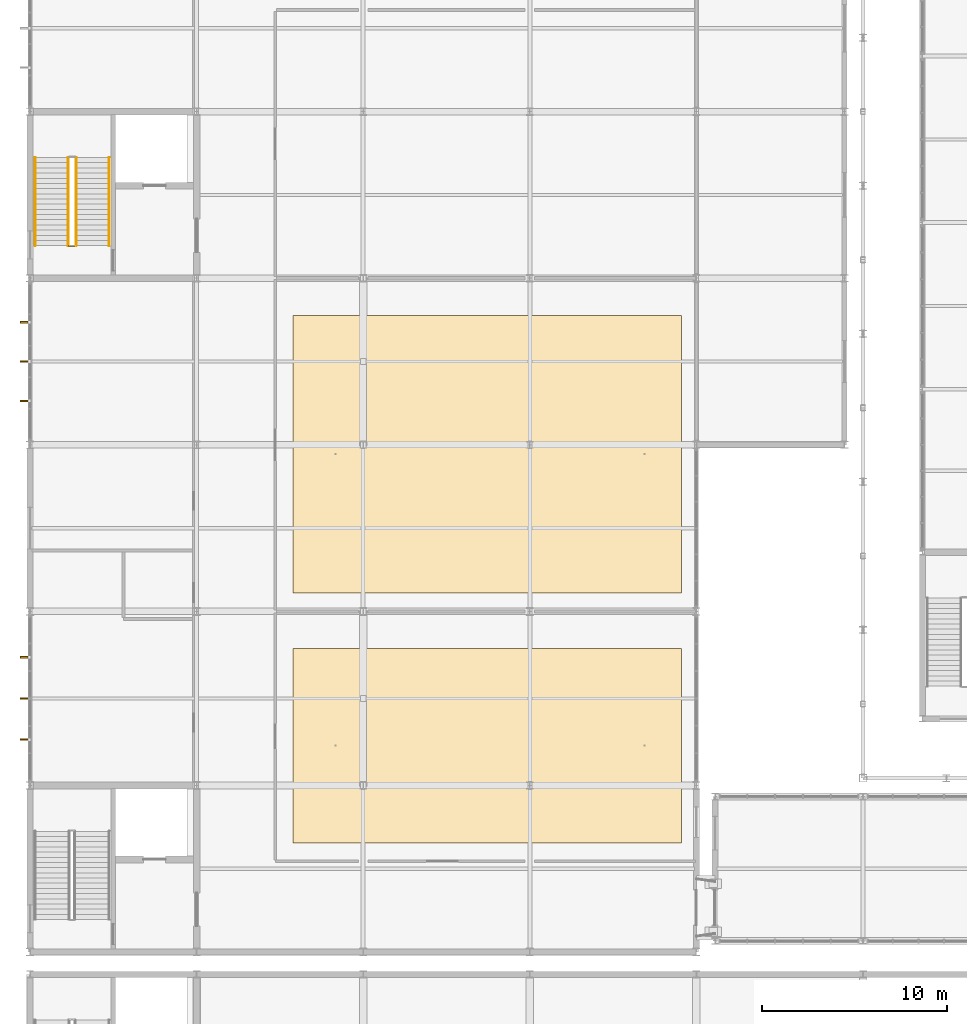
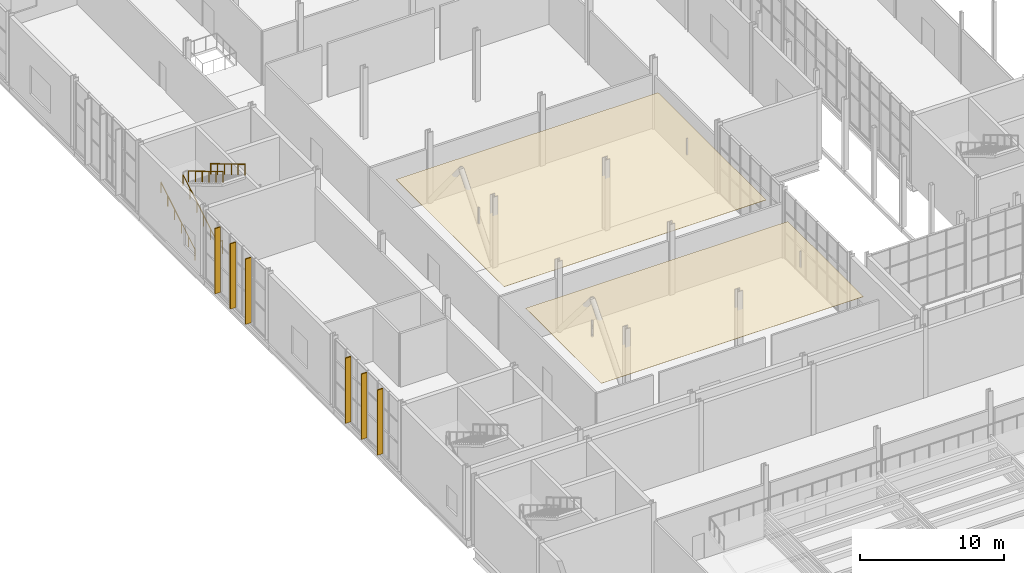
# One storey, part 147 of 159: 6 shading devices, 5 railings, 2 coverings.
"""IFC4 building model written with IfcOpenShell, lengths in metres."""

from ifc_helpers import new_model, si_unit, direction, frame, origin, origin_2d, place, context, subcontext, project, spatial, polyline, rectangle, circle, outline, extrude, material, layer, layer_set, type_object, element, save


model = new_model("IFC4")

# Units and contexts
model_context = context("Model", 3, precision=1e-05, world=origin(), true_north=direction((0.0, 1.0)))
body_context = subcontext(model_context, "Body", "Model", "MODEL_VIEW")
ifc_project = project(units=[si_unit("LENGTHUNIT", "METRE"), si_unit("AREAUNIT", "SQUARE_METRE"), si_unit("VOLUMEUNIT", "CUBIC_METRE"), si_unit("PLANEANGLEUNIT", "RADIAN"), si_unit("MASSUNIT", "GRAM", prefix="KILO")], contexts=[model_context])

# Site, building, storey
site_placement = place(None, origin())
site = spatial("IfcSite", under=ifc_project, at=site_placement, CompositionType="ELEMENT")
building_placement = place(site_placement, origin())
building = spatial("IfcBuilding", under=site, at=building_placement, Name="Cazmaro Siding Exhibition Halls", CompositionType="ELEMENT")
storey_placement = place(building_placement, frame((0.0, 0.0, 6.0)))
storey = spatial("IfcBuildingStorey", under=building, at=storey_placement, Name="L01", CompositionType="ELEMENT", Elevation=6.0)

# Coverings
ifc_material_1 = material(Name="Perforated Micro-Slotted Acoustic Timber Ceiling Cloud", Category="wood")
ifc_layer = layer(ifc_material_1, 0.02490234375)
ifc_layer_set = layer_set([ifc_layer], Name="Perforated Micro-Slotted Acoustic Timber Ceiling Cloud")
covering_type = type_object("IfcCoveringType", Name="COV-CEIL-01", PredefinedType="CEILING", material=ifc_layer_set)
covering_1_placement = place(storey_placement, frame((0.0, 0.0, 4.39990234375)))
element("IfcCovering", 1, at=covering_1_placement, inside=storey, type_object=covering_type, Name="Acoustic Timber Ceiling Cloud 003", PredefinedType="CEILING", context=body_context, shape_type="SweptSolid", body=[
    extrude(outline(polyline([(14.199951171875, 60.5), (35.199951171875, 60.5), (35.199951171875, 71.0), (14.199951171875, 71.0), (14.199951171875, 60.5)])), origin(), (0.0, 0.0, 1.0), 0.025146484375),
])
covering_2_placement = place(storey_placement, frame((0.0, 0.0, 4.39990234375)))
element("IfcCovering", 2, at=covering_2_placement, inside=storey, type_object=covering_type, Name="Acoustic Timber Ceiling Cloud 004", PredefinedType="CEILING", context=body_context, shape_type="SweptSolid", body=[
    extrude(outline(polyline([(14.199951171875, 74.0), (35.199951171875, 74.0), (35.199951171875, 89.0), (14.199951171875, 89.0), (14.199951171875, 74.0)])), origin(), (0.0, 0.0, 1.0), 0.025146484375),
])

# Railings
ifc_material_2 = material(Name="Painted Steel Stairwell Guardrail", Category="steel")
railing_type_1 = type_object("IfcRailingType", Name="RL-GRD-01", PredefinedType="GUARDRAIL", material=ifc_material_2)
railing_1_placement = place(storey_placement, frame((2.094970703125, 92.739990234375, 0.0)))
element("IfcRailing", 3, at=railing_1_placement, inside=storey, type_object=railing_type_1, Name="Core C8 L01 Landing Slot Guard RL-GRD-01 RL-SG036", PredefinedType="GUARDRAIL", context=body_context, shape_type="SweptSolid", body=[
    extrude(circle(Radius=0.02392578125, at=origin_2d()), frame((0.0, 0.0, 1.09619140625), z_axis=(1.0, 0.0, 0.0), x_axis=(0.0, 1.0, 0.0)), (0.0, 0.0, 1.0), 0.364990234375),
    extrude(circle(Radius=0.02099609375, at=origin_2d()), origin(), (0.0, 0.0, 1.0), 1.072021484375),
    extrude(circle(Radius=0.02099609375, at=origin_2d()), frame((0.364990234375, 0.0, 0.0)), (0.0, 0.0, 1.0), 1.072021484375),
])
ifc_material_3 = material(Name="Brushed Stainless Steel Tubular Handrail", Category="steel")
railing_type_2 = type_object("IfcRailingType", Name="RL-HR-01", PredefinedType="HANDRAIL", material=ifc_material_3)
railing_2_placement = place(storey_placement, frame((0.280029296875, 92.760009765625, 0.1669921875)))
element("IfcRailing", 4, at=railing_2_placement, inside=storey, type_object=railing_type_2, Name="ST-19 Flight 1 Handrail 1", PredefinedType="HANDRAIL", context=body_context, shape_type="SweptSolid", body=[
    extrude(circle(Radius=0.02392578125, at=origin_2d()), frame((0.0, 0.0, 0.89599609375), z_axis=(0.0, 0.859319172962, 0.511439692417), x_axis=(-1.0, 0.0, 0.0)), (0.0, 0.0, 1.0), 5.539306640625),
    extrude(circle(Radius=0.02099609375, at=origin_2d()), origin(), (0.0, 0.0, 1.0), 0.871826171875),
    extrude(circle(Radius=0.02099609375, at=origin_2d()), frame((0.0, 0.951904296875, 0.566650390625)), (0.0, 0.0, 1.0), 0.871826171875),
    extrude(circle(Radius=0.02099609375, at=origin_2d()), frame((0.0, 1.904052734375, 1.13330078125)), (0.0, 0.0, 1.0), 0.871826171875),
    extrude(circle(Radius=0.02099609375, at=origin_2d()), frame((0.0, 2.85595703125, 1.69970703125)), (0.0, 0.0, 1.0), 0.871826171875),
    extrude(circle(Radius=0.02099609375, at=origin_2d()), frame((0.0, 3.80810546875, 2.266357421875)), (0.0, 0.0, 1.0), 0.871826171875),
    extrude(circle(Radius=0.02099609375, at=origin_2d()), frame((0.0, 4.760009765625, 2.8330078125)), (0.0, 0.0, 1.0), 0.871826171875),
])
railing_3_placement = place(storey_placement, frame((2.4951171875, 97.52001953125, 3.1669921875)))
element("IfcRailing", 5, at=railing_3_placement, inside=storey, type_object=railing_type_2, Name="ST-19 Flight 2 Handrail 1", PredefinedType="HANDRAIL", context=body_context, shape_type="SweptSolid", body=[
    extrude(circle(Radius=0.02392578125, at=origin_2d()), frame((0.0, 0.0, 0.89599609375), z_axis=(0.0, -0.859319172962, 0.511439692417), x_axis=(1.0, 0.0, 0.0)), (0.0, 0.0, 1.0), 5.539306640625),
    extrude(circle(Radius=0.02099609375, at=origin_2d()), origin(), (0.0, 0.0, 1.0), 0.871826171875),
    extrude(circle(Radius=0.02099609375, at=origin_2d()), frame((0.0, -0.951904296875, 0.566650390625)), (0.0, 0.0, 1.0), 0.871826171875),
    extrude(circle(Radius=0.02099609375, at=origin_2d()), frame((0.0, -1.904052734375, 1.13330078125)), (0.0, 0.0, 1.0), 0.871826171875),
    extrude(circle(Radius=0.02099609375, at=origin_2d()), frame((0.0, -2.85595703125, 1.69970703125)), (0.0, 0.0, 1.0), 0.871826171875),
    extrude(circle(Radius=0.02099609375, at=origin_2d()), frame((0.0, -3.80810546875, 2.266357421875)), (0.0, 0.0, 1.0), 0.871826171875),
    extrude(circle(Radius=0.02099609375, at=origin_2d()), frame((0.0, -4.760009765625, 2.8330078125)), (0.0, 0.0, 1.0), 0.871826171875),
])
railing_4_placement = place(storey_placement, frame((2.06005859375, 92.760009765625, 0.1669921875)))
element("IfcRailing", 6, at=railing_4_placement, inside=storey, type_object=railing_type_2, Name="ST-19 Flight 1 Handrail 2", PredefinedType="HANDRAIL", context=body_context, shape_type="SweptSolid", body=[
    extrude(circle(Radius=0.02392578125, at=origin_2d()), frame((0.0, 0.0, 0.89599609375), z_axis=(0.0, 0.859319172962, 0.511439692417), x_axis=(-1.0, 0.0, 0.0)), (0.0, 0.0, 1.0), 5.539306640625),
    extrude(circle(Radius=0.02099609375, at=origin_2d()), origin(), (0.0, 0.0, 1.0), 0.871826171875),
    extrude(circle(Radius=0.02099609375, at=origin_2d()), frame((0.0, 0.951904296875, 0.566650390625)), (0.0, 0.0, 1.0), 0.871826171875),
    extrude(circle(Radius=0.02099609375, at=origin_2d()), frame((0.0, 1.904052734375, 1.13330078125)), (0.0, 0.0, 1.0), 0.871826171875),
    extrude(circle(Radius=0.02099609375, at=origin_2d()), frame((0.0, 2.85595703125, 1.69970703125)), (0.0, 0.0, 1.0), 0.871826171875),
    extrude(circle(Radius=0.02099609375, at=origin_2d()), frame((0.0, 3.80810546875, 2.266357421875)), (0.0, 0.0, 1.0), 0.871826171875),
    extrude(circle(Radius=0.02099609375, at=origin_2d()), frame((0.0, 4.760009765625, 2.8330078125)), (0.0, 0.0, 1.0), 0.871826171875),
])
railing_5_placement = place(storey_placement, frame((4.27490234375, 97.52001953125, 3.1669921875)))
element("IfcRailing", 7, at=railing_5_placement, inside=storey, type_object=railing_type_2, Name="ST-19 Flight 2 Handrail 2", PredefinedType="HANDRAIL", context=body_context, shape_type="SweptSolid", body=[
    extrude(circle(Radius=0.02392578125, at=origin_2d()), frame((0.0, 0.0, 0.89599609375), z_axis=(0.0, -0.859319172962, 0.511439692417), x_axis=(1.0, 0.0, 0.0)), (0.0, 0.0, 1.0), 5.539306640625),
    extrude(circle(Radius=0.02099609375, at=origin_2d()), origin(), (0.0, 0.0, 1.0), 0.871826171875),
    extrude(circle(Radius=0.02099609375, at=origin_2d()), frame((0.0, -0.951904296875, 0.566650390625)), (0.0, 0.0, 1.0), 0.871826171875),
    extrude(circle(Radius=0.02099609375, at=origin_2d()), frame((0.0, -1.904052734375, 1.13330078125)), (0.0, 0.0, 1.0), 0.871826171875),
    extrude(circle(Radius=0.02099609375, at=origin_2d()), frame((0.0, -2.85595703125, 1.69970703125)), (0.0, 0.0, 1.0), 0.871826171875),
    extrude(circle(Radius=0.02099609375, at=origin_2d()), frame((0.0, -3.80810546875, 2.266357421875)), (0.0, 0.0, 1.0), 0.871826171875),
    extrude(circle(Radius=0.02099609375, at=origin_2d()), frame((0.0, -4.760009765625, 2.8330078125)), (0.0, 0.0, 1.0), 0.871826171875),
])

# Shading devices
ifc_material_4 = material(Name="Extruded Kiln-Fired Terracotta Sunshade Louver", Category="concrete")
shading_device_type = type_object("IfcShadingDeviceType", Name="SHD-TC-01", PredefinedType="USERDEFINED", material=ifc_material_4)
for number, where, z_axis, x_axis, name in (
    (8, (-0.31494140625, 66.075927734375, 0.125), (0.0, 0.0, 1.0), (1.0, 0.0, 0.0), "Extruded Terracotta Vertical Sunshade Fin SHD-01 013"),
    (9, (-0.31494140625, 68.300048828125, 0.125), (0.0, 0.0, 1.0), (1.0, 0.0, 0.0), "Extruded Terracotta Vertical Sunshade Fin SHD-01 014"),
    (10, (-0.31494140625, 70.52294921875, 0.125), (0.0, 0.0, 1.0), (1.0, 0.0, 0.0), "Extruded Terracotta Vertical Sunshade Fin SHD-01 015"),
    (11, (-0.31494140625, 84.3759765625, 0.125), (0.0, 0.0, 1.0), (1.0, 0.0, 0.0), "Extruded Terracotta Vertical Sunshade Fin SHD-01 016"),
    (12, (-0.31494140625, 86.5, 0.125), (0.0, 0.0, 1.0), (1.0, 0.0, 0.0), "Extruded Terracotta Vertical Sunshade Fin SHD-01 017"),
    (13, (-0.31494140625, 88.6240234375, 0.125), (0.0, 0.0, 1.0), (1.0, 0.0, 0.0), "Extruded Terracotta Vertical Sunshade Fin SHD-01 018"),
):
    element("IfcShadingDevice", number, at=place(storey_placement, frame(where, z_axis=z_axis, x_axis=x_axis)), inside=storey, type_object=shading_device_type, Name=name, ObjectType="SUNSHADE", PredefinedType="USERDEFINED", context=body_context, shape_type="SweptSolid", body=[
        extrude(rectangle(XDim=0.449951171875, YDim=0.090087890625, at=origin_2d()), origin(), (0.0, 0.0, 1.0), 5.530029296875),
    ])

save(model, "model.ifc")
